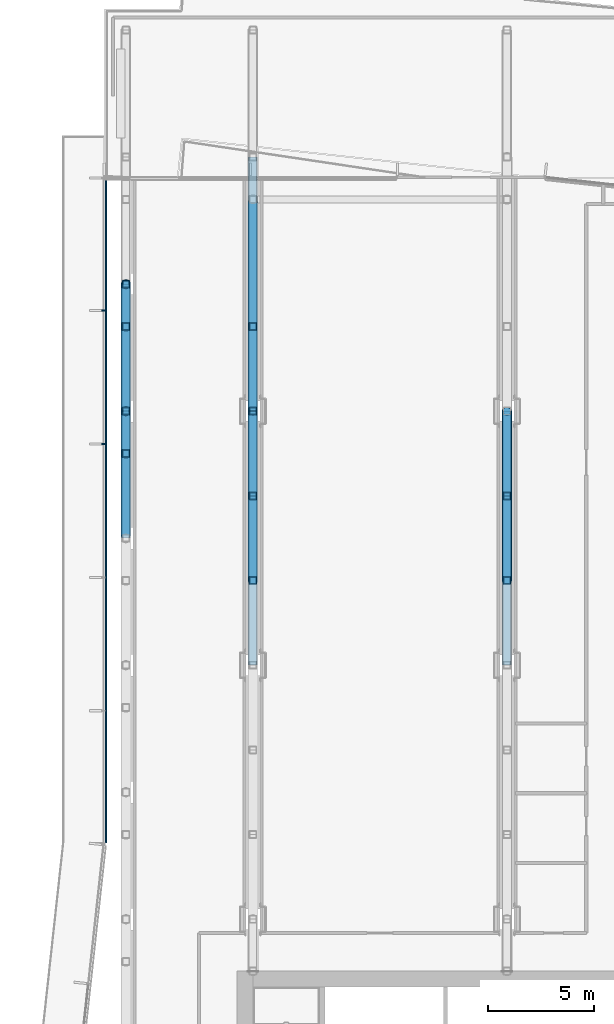
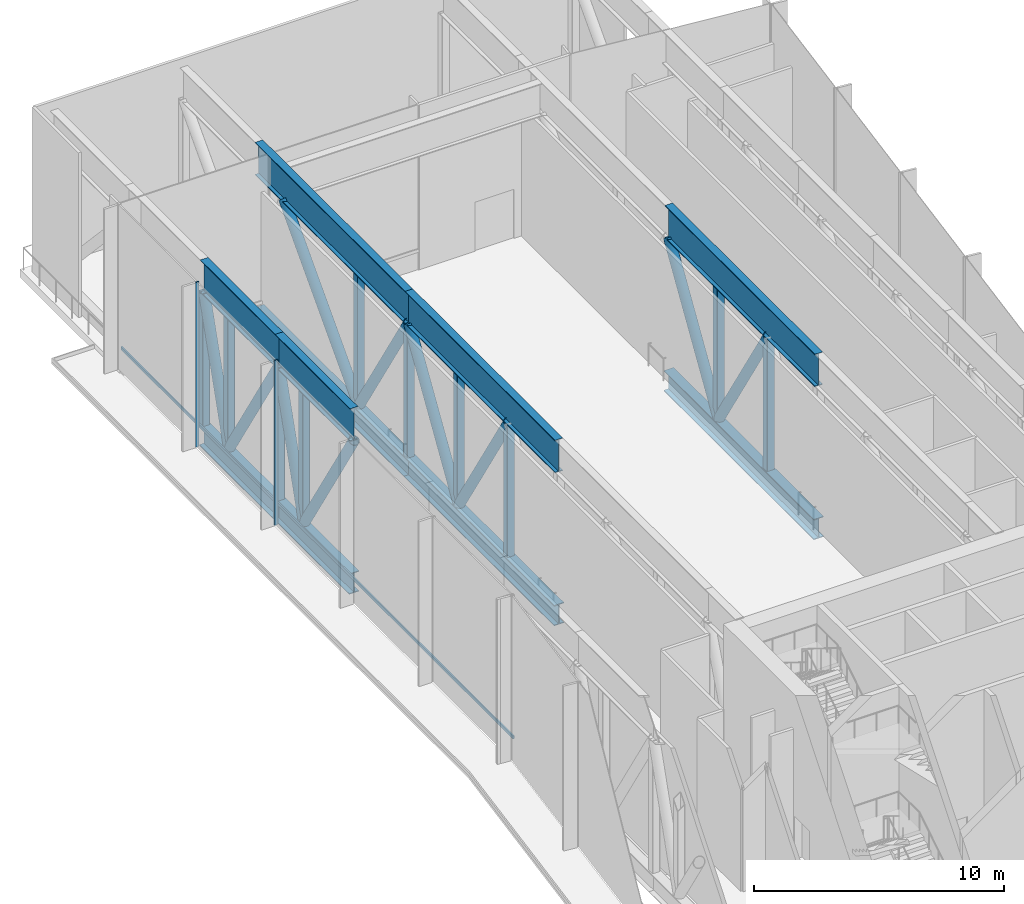
# One storey, part 6 of 24: 33 members, 1 element without a shape of its own.
"""IFC4 building model written with IfcOpenShell, lengths in metres."""

from ifc_helpers import new_model, si_unit, direction, frame, origin, origin_2d, place, context, subcontext, project, spatial, rectangle, hollow_rectangle, hollow_circle, i_section, extrude, material, layer, layer_set, material_profile, profile_set, type_object, element, aggregate, save


model = new_model("IFC4")

# Units and contexts
model_context = context("Model", 3, precision=1e-05, world=origin(), true_north=direction((0.0, 1.0)))
body_context = subcontext(model_context, "Body", "Model", "MODEL_VIEW")
ifc_project = project(units=[si_unit("LENGTHUNIT", "METRE"), si_unit("AREAUNIT", "SQUARE_METRE"), si_unit("VOLUMEUNIT", "CUBIC_METRE"), si_unit("PLANEANGLEUNIT", "RADIAN"), si_unit("MASSUNIT", "GRAM", prefix="KILO")], contexts=[model_context])

# Site, building, storey
site_placement = place(None, origin())
site = spatial("IfcSite", under=ifc_project, at=site_placement, CompositionType="ELEMENT")
building_placement = place(site_placement, origin())
building = spatial("IfcBuilding", under=site, at=building_placement, Name="Welwitschia Terrace Campus", CompositionType="ELEMENT")
storey_placement = place(building_placement, frame((0.0, 0.0, 138.199951171875)))
storey = spatial("IfcBuildingStorey", under=building, at=storey_placement, Name="L31", CompositionType="ELEMENT", Elevation=138.199951171875)

# Curtain wall, members
ifc_material_1 = material(Name="Bronze anodised aluminium", Category="aluminium")
ifc_layer = layer(ifc_material_1, 0.159912109375)
ifc_layer_set = layer_set([ifc_layer], Name="Bronze anodised aluminium")
curtain_wall_type = type_object("IfcCurtainWallType", Name="Curtain wall CW3 commons 6000", PredefinedType="NOTDEFINED", material=ifc_layer_set)
curtain_wall_placement = place(storey_placement, origin())
curtain_wall = element("IfcCurtainWall", 1, at=curtain_wall_placement, inside=storey, type_object=curtain_wall_type, Name="CW L31.13.0", PredefinedType="NOTDEFINED")
ifc_material_2 = material(Name="Bronze anodised aluminium", Category="aluminium")
ifc_material_profile_1 = material_profile(ifc_material_2, rectangle(XDim=0.159912109375, YDim=0.06005859375, at=origin_2d()))
ifc_profile_set_1 = profile_set([ifc_material_profile_1], Name="Bronze anodised aluminium")
member_type_1 = type_object("IfcMemberType", Name="Mullion 60x160", PredefinedType="MULLION", material=ifc_profile_set_1)
member_1_placement = place(storey_placement, frame((-1.050048828125, 56.749755859375, 0.0), z_axis=(0.0, 0.0, 1.0), x_axis=(1.0, 0.0, 0.0)))
member_1 = element("IfcMember", 2, at=member_1_placement, type_object=member_type_1, Name="Mullion L31.13.0.1", PredefinedType="MULLION", context=body_context, shape_type="SweptSolid", body=[
    extrude(rectangle(XDim=0.159912109375, YDim=0.06005859375, at=origin_2d()), origin(), (0.0, 0.0, 1.0), 8.050048828125),
])
member_2_placement = place(storey_placement, frame((-1.050048828125, 50.44921875, 0.0), z_axis=(0.0, 0.0, 1.0), x_axis=(1.0, 0.0, 0.0)))
member_2 = element("IfcMember", 3, at=member_2_placement, type_object=member_type_1, Name="Mullion L31.13.0.2", PredefinedType="MULLION", context=body_context, shape_type="SweptSolid", body=[
    extrude(rectangle(XDim=0.159912109375, YDim=0.06005859375, at=origin_2d()), origin(), (0.0, 0.0, 1.0), 8.050048828125),
])

# Members
ifc_material_3 = material(Name="Steel S355", Category="steel")
ifc_material_profile_2 = material_profile(ifc_material_3, i_section(OverallWidth=0.449951171875, OverallDepth=1.0, WebThickness=0.030029296875, FlangeThickness=0.0400390625, at=origin_2d()))
ifc_profile_set_2 = profile_set([ifc_material_profile_2], Name="Steel S355")
member_type_2 = type_object("IfcMemberType", Name="Transfer truss C2 bottom chord WI 1000x450x30x40", PredefinedType="CHORD", material=ifc_profile_set_2)
for number, where, z_axis, x_axis, name in (
    (4, (0.0, 46.0, -0.5), (0.0, 1.0, 0.0), (-1.0, 0.0, 0.0), "Truss bottom chord"),
    (5, (0.0, 52.0, -0.5), (0.0, 1.0, 0.0), (-1.0, 0.0, 0.0), "Truss bottom chord"),
):
    element("IfcMember", number, at=place(storey_placement, frame(where, z_axis=z_axis, x_axis=x_axis)), inside=storey, type_object=member_type_2, Name=name, PredefinedType="CHORD", context=body_context, shape_type="SweptSolid", body=[
        extrude(i_section(OverallWidth=0.449951171875, OverallDepth=1.0, WebThickness=0.030029296875, FlangeThickness=0.0400390625, at=origin_2d()), origin(), (0.0, 0.0, 1.0), 6.0),
    ])
for number, where, z_axis, x_axis, name in (
    (6, (6.0, 40.0, -0.5), (0.0, 1.0, 0.0), (-1.0, 0.0, 0.0), "Truss bottom chord"),
    (7, (6.0, 52.0, -0.5), (0.0, 1.0, 0.0), (-1.0, 0.0, 0.0), "Truss bottom chord"),
    (8, (18.0, 40.0, -0.5), (0.0, 1.0, 0.0), (-1.0, 0.0, 0.0), "Truss bottom chord"),
):
    element("IfcMember", number, at=place(storey_placement, frame(where, z_axis=z_axis, x_axis=x_axis)), inside=storey, type_object=member_type_2, Name=name, PredefinedType="CHORD", context=body_context, shape_type="SweptSolid", body=[
        extrude(i_section(OverallWidth=0.449951171875, OverallDepth=1.0, WebThickness=0.030029296875, FlangeThickness=0.0400390625, at=origin_2d()), origin(), (0.0, 0.0, 1.0), 12.0),
    ])
ifc_material_4 = material(Name="Steel S355", Category="steel")
ifc_material_profile_3 = material_profile(ifc_material_4, hollow_circle(Radius=0.228515625, WallThickness=0.02001953125, at=origin_2d()))
ifc_profile_set_3 = profile_set([ifc_material_profile_3], Name="Steel S355")
member_type_3 = type_object("IfcMemberType", Name="Transfer truss C2 diagonal CHS 457x20", PredefinedType="BRACE", material=ifc_profile_set_3)
member_3_placement = place(storey_placement, frame((0.0, 50.0, 0.0), z_axis=(0.0, -0.527037721004, 0.849841891553), x_axis=(1.0, 0.0, 0.0)))
element("IfcMember", 9, at=member_3_placement, inside=storey, type_object=member_type_3, Name="Truss diagonal", PredefinedType="BRACE", context=body_context, shape_type="SweptSolid", body=[
    extrude(hollow_circle(Radius=0.228515625, WallThickness=0.02001953125, at=origin_2d()), origin(), (0.0, 0.0, 1.0), 7.589599609375),
])
member_4_placement = place(storey_placement, frame((0.0, 50.0, 0.0), z_axis=(0.0, 0.296168365803, 0.955135749042), x_axis=(-1.0, 0.0, 0.0)))
element("IfcMember", 10, at=member_4_placement, inside=storey, type_object=member_type_3, Name="Truss diagonal", PredefinedType="BRACE", context=body_context, shape_type="SweptSolid", body=[
    extrude(hollow_circle(Radius=0.228515625, WallThickness=0.02001953125, at=origin_2d()), origin(), (0.0, 0.0, 1.0), 6.7529296875),
])
member_5_placement = place(storey_placement, frame((0.0, 56.0, 0.0), z_axis=(0.0, -0.527037721004, 0.849841891553), x_axis=(1.0, 0.0, 0.0)))
element("IfcMember", 11, at=member_5_placement, inside=storey, type_object=member_type_3, Name="Truss diagonal", PredefinedType="BRACE", context=body_context, shape_type="SweptSolid", body=[
    extrude(hollow_circle(Radius=0.228515625, WallThickness=0.02001953125, at=origin_2d()), origin(), (0.0, 0.0, 1.0), 7.589599609375),
])
member_6_placement = place(storey_placement, frame((0.0, 56.0, 0.0), z_axis=(0.0, 0.296168365803, 0.955135749042), x_axis=(-1.0, 0.0, 0.0)))
element("IfcMember", 12, at=member_6_placement, inside=storey, type_object=member_type_3, Name="Truss diagonal", PredefinedType="BRACE", context=body_context, shape_type="SweptSolid", body=[
    extrude(hollow_circle(Radius=0.228515625, WallThickness=0.02001953125, at=origin_2d()), origin(), (0.0, 0.0, 1.0), 6.7529296875),
])
for number, where, z_axis, x_axis, name in (
    (13, (6.0, 48.0, 0.0), (0.0, -0.527037721004, 0.849841891553), (1.0, 0.0, 0.0), "Truss diagonal"),
    (14, (6.0, 48.0, 0.0), (0.0, 0.527037721004, 0.849841891553), (-1.0, 0.0, 0.0), "Truss diagonal"),
    (15, (6.0, 56.0, 0.0), (0.0, -0.527037721004, 0.849841891553), (1.0, 0.0, 0.0), "Truss diagonal"),
):
    element("IfcMember", number, at=place(storey_placement, frame(where, z_axis=z_axis, x_axis=x_axis)), inside=storey, type_object=member_type_3, Name=name, PredefinedType="BRACE", context=body_context, shape_type="SweptSolid", body=[
        extrude(hollow_circle(Radius=0.228515625, WallThickness=0.02001953125, at=origin_2d()), origin(), (0.0, 0.0, 1.0), 7.589599609375),
    ])
member_7_placement = place(storey_placement, frame((6.0, 56.0, 0.0), z_axis=(0.0, 0.681106706671, 0.732184166811), x_axis=(-1.0, 0.0, 0.0)))
element("IfcMember", 16, at=member_7_placement, inside=storey, type_object=member_type_3, Name="Truss diagonal", PredefinedType="BRACE", context=body_context, shape_type="SweptSolid", body=[
    extrude(hollow_circle(Radius=0.228515625, WallThickness=0.02001953125, at=origin_2d()), origin(), (0.0, 0.0, 1.0), 8.80908203125),
])
for number, where, z_axis, x_axis, name in (
    (17, (18.0, 48.0, 0.0), (0.0, -0.527037721004, 0.849841891553), (1.0, 0.0, 0.0), "Truss diagonal"),
    (18, (18.0, 48.0, 0.0), (0.0, 0.527037721004, 0.849841891553), (-1.0, 0.0, 0.0), "Truss diagonal"),
):
    element("IfcMember", number, at=place(storey_placement, frame(where, z_axis=z_axis, x_axis=x_axis)), inside=storey, type_object=member_type_3, Name=name, PredefinedType="BRACE", context=body_context, shape_type="SweptSolid", body=[
        extrude(hollow_circle(Radius=0.228515625, WallThickness=0.02001953125, at=origin_2d()), origin(), (0.0, 0.0, 1.0), 7.589599609375),
    ])
ifc_material_5 = material(Name="Steel S355", Category="steel")
ifc_material_profile_4 = material_profile(ifc_material_5, hollow_rectangle(XDim=0.35009765625, YDim=0.35009765625, WallThickness=0.02001953125, InnerFilletRadius=0.02001953125, OuterFilletRadius=0.030029296875, at=origin_2d()))
ifc_profile_set_4 = profile_set([ifc_material_profile_4], Name="Steel S355")
member_type_4 = type_object("IfcMemberType", Name="Transfer truss C2 post SHS 350x350x20", PredefinedType="POST", material=ifc_profile_set_4)
for number, where, z_axis, x_axis, name in (
    (19, (0.0, 50.0, 0.0), (0.0, 0.0, 1.0), (1.0, 0.0, 0.0), "Truss post"),
    (20, (0.0, 52.0, 0.0), (0.0, 0.0, 1.0), (1.0, 0.0, 0.0), "Truss post"),
    (21, (0.0, 56.0, 0.0), (0.0, 0.0, 1.0), (1.0, 0.0, 0.0), "Truss post"),
    (22, (0.0, 58.0, 0.0), (0.0, 0.0, 1.0), (1.0, 0.0, 0.0), "Truss post"),
    (23, (6.0, 44.0, 0.0), (0.0, 0.0, 1.0), (1.0, 0.0, 0.0), "Truss post"),
    (24, (6.0, 48.0, 0.0), (0.0, 0.0, 1.0), (1.0, 0.0, 0.0), "Truss post"),
    (25, (6.0, 52.0, 0.0), (0.0, 0.0, 1.0), (1.0, 0.0, 0.0), "Truss post"),
    (26, (6.0, 56.0, 0.0), (0.0, 0.0, 1.0), (1.0, 0.0, 0.0), "Truss post"),
    (27, (18.0, 44.0, 0.0), (0.0, 0.0, 1.0), (1.0, 0.0, 0.0), "Truss post"),
    (28, (18.0, 48.0, 0.0), (0.0, 0.0, 1.0), (1.0, 0.0, 0.0), "Truss post"),
):
    element("IfcMember", number, at=place(storey_placement, frame(where, z_axis=z_axis, x_axis=x_axis)), inside=storey, type_object=member_type_4, Name=name, PredefinedType="POST", context=body_context, shape_type="SweptSolid", body=[
        extrude(hollow_rectangle(XDim=0.35009765625, YDim=0.35009765625, WallThickness=0.02001953125, InnerFilletRadius=0.02001953125, OuterFilletRadius=0.030029296875, at=origin_2d()), origin(), (0.0, 0.0, 1.0), 6.449951171875),
    ])
ifc_material_6 = material(Name="Steel S355", Category="steel")
ifc_material_profile_5 = material_profile(ifc_material_6, i_section(OverallWidth=0.35009765625, OverallDepth=1.60009765625, WebThickness=0.030029296875, FlangeThickness=0.0400390625, at=origin_2d()))
ifc_profile_set_5 = profile_set([ifc_material_profile_5], Name="Steel S355")
member_type_5 = type_object("IfcMemberType", Name="Transfer truss C2 top chord WI 1600x350x30x40", PredefinedType="CHORD", material=ifc_profile_set_5)
for number, where, z_axis, x_axis, name in (
    (29, (0.0, 46.0, 7.25), (0.0, 1.0, 0.0), (-1.0, 0.0, 0.0), "Truss top chord"),
    (30, (0.0, 52.0, 7.25), (0.0, 1.0, 0.0), (-1.0, 0.0, 0.0), "Truss top chord"),
):
    element("IfcMember", number, at=place(storey_placement, frame(where, z_axis=z_axis, x_axis=x_axis)), inside=storey, type_object=member_type_5, Name=name, PredefinedType="CHORD", context=body_context, shape_type="SweptSolid", body=[
        extrude(i_section(OverallWidth=0.35009765625, OverallDepth=1.60009765625, WebThickness=0.030029296875, FlangeThickness=0.0400390625, at=origin_2d()), origin(), (0.0, 0.0, 1.0), 6.0),
    ])
for number, where, z_axis, x_axis, name in (
    (31, (6.0, 40.0, 7.25), (0.0, 1.0, 0.0), (-1.0, 0.0, 0.0), "Truss top chord"),
    (32, (6.0, 52.0, 7.25), (0.0, 1.0, 0.0), (-1.0, 0.0, 0.0), "Truss top chord"),
    (33, (18.0, 40.0, 7.25), (0.0, 1.0, 0.0), (-1.0, 0.0, 0.0), "Truss top chord"),
):
    element("IfcMember", number, at=place(storey_placement, frame(where, z_axis=z_axis, x_axis=x_axis)), inside=storey, type_object=member_type_5, Name=name, PredefinedType="CHORD", context=body_context, shape_type="SweptSolid", body=[
        extrude(i_section(OverallWidth=0.35009765625, OverallDepth=1.60009765625, WebThickness=0.030029296875, FlangeThickness=0.0400390625, at=origin_2d()), origin(), (0.0, 0.0, 1.0), 12.0),
    ])

# Member
ifc_material_7 = material(Name="Bronze anodised aluminium", Category="aluminium")
ifc_material_profile_6 = material_profile(ifc_material_7, rectangle(XDim=0.06005859375, YDim=0.14990234375, at=origin_2d()))
ifc_profile_set_6 = profile_set([ifc_material_profile_6], Name="Bronze anodised aluminium")
member_type_6 = type_object("IfcMemberType", Name="Transom 60x150", PredefinedType="USERDEFINED", material=ifc_profile_set_6)
member_8_placement = place(storey_placement, frame((-0.93994140625, 62.989990234375, 1.0), z_axis=(0.0, -1.0, 0.0), x_axis=(1.0, 0.0, 0.0)))
member_8 = element("IfcMember", 34, at=member_8_placement, type_object=member_type_6, Name="Transom L31.13.0", ObjectType="TRANSOM", PredefinedType="USERDEFINED", context=body_context, shape_type="SweptSolid", body=[
    extrude(rectangle(XDim=0.06005859375, YDim=0.14990234375, at=origin_2d()), origin(), (0.0, 0.0, 1.0), 31.3818359375),
])

aggregate(curtain_wall, [member_1, member_2, member_8])

save(model, "model.ifc")
